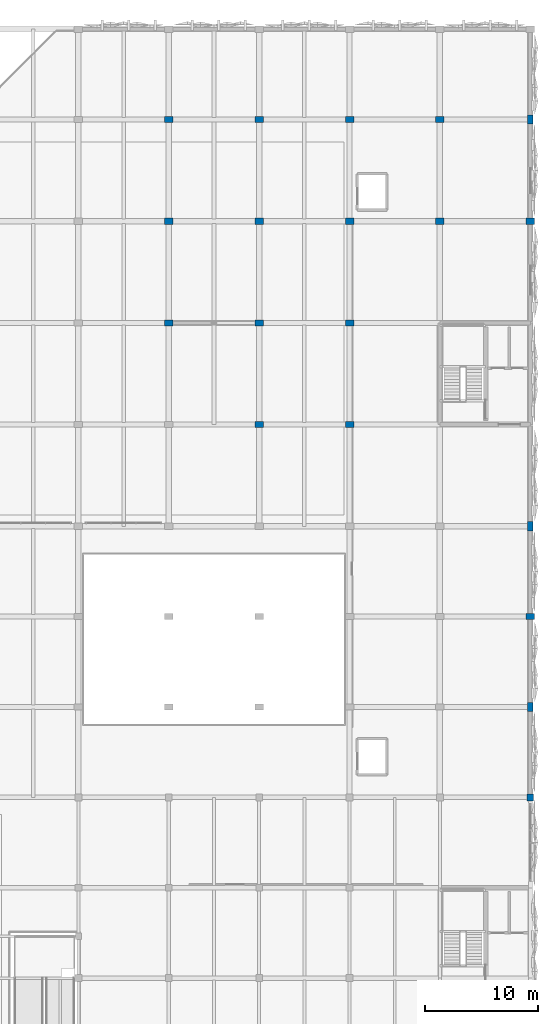
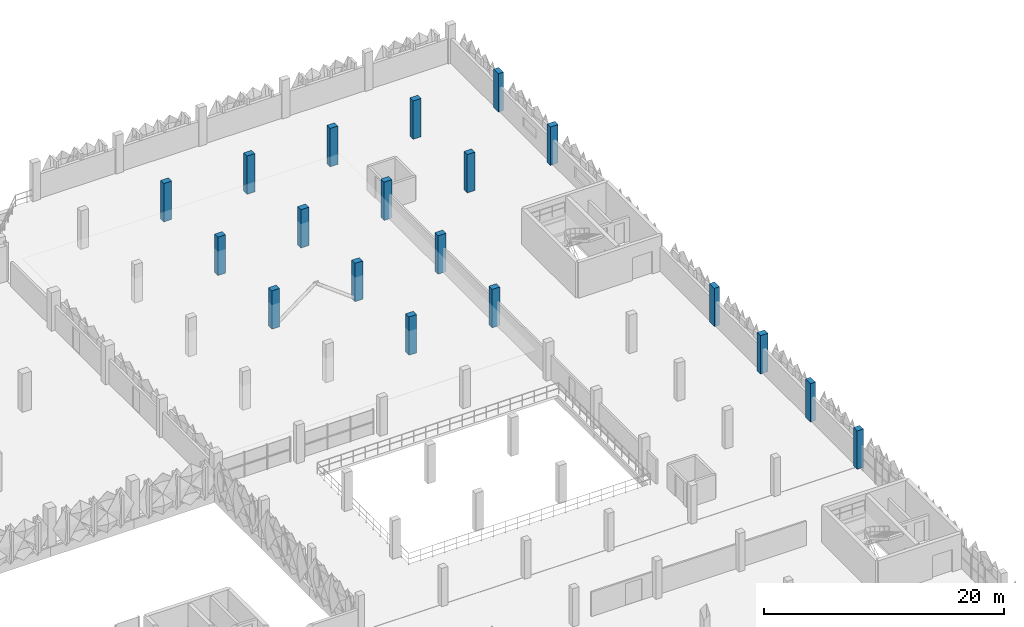
# One storey, part 16 of 123: 19 columns.
"""IFC4 building model written with IfcOpenShell, lengths in metres."""

from ifc_helpers import new_model, si_unit, derived_unit, direction, frame, origin, origin_2d, place, context, subcontext, project, spatial, rectangle, extrude, material, material_profile, profile_set, type_object, element, save


model = new_model("IFC4")

# Units and contexts
model_context = context("Model", 3, precision=1e-05, world=origin(), true_north=direction((0.0, 1.0)))
body_context = subcontext(model_context, "Body", "Model", "MODEL_VIEW")
ifc_project = project(units=[si_unit("LENGTHUNIT", "METRE"), si_unit("AREAUNIT", "SQUARE_METRE"), si_unit("VOLUMEUNIT", "CUBIC_METRE"), si_unit("PLANEANGLEUNIT", "RADIAN"), si_unit("MASSUNIT", "GRAM", prefix="KILO"), si_unit("THERMODYNAMICTEMPERATUREUNIT", "KELVIN"), derived_unit("THERMALTRANSMITTANCEUNIT", [(si_unit("POWERUNIT", "WATT"), 1), (si_unit("AREAUNIT", "SQUARE_METRE"), -1), (si_unit("THERMODYNAMICTEMPERATUREUNIT", "KELVIN"), -1)])], contexts=[model_context])

# Site, building, storey
site_placement = place(None, origin())
site = spatial("IfcSite", under=ifc_project, at=site_placement, CompositionType="ELEMENT")
building_placement = place(site_placement, origin())
building = spatial("IfcBuilding", under=site, at=building_placement, Name="Haiyu Intermodal Mobility Hub", CompositionType="ELEMENT")
storey_placement = place(building_placement, frame((0.0, 0.0, 5.60009765625)))
storey = spatial("IfcBuildingStorey", under=building, at=storey_placement, Name="L01", CompositionType="ELEMENT", Elevation=5.60009765625)

# Columns
ifc_material_1 = material(Name="Concrete C40", Category="concrete")
ifc_material_profile_1 = material_profile(ifc_material_1, rectangle(XDim=0.60009765625, YDim=0.60009765625, at=origin_2d()), Name="RC600x600")
ifc_profile_set_1 = profile_set([ifc_material_profile_1], Name="Concrete C40")
column_type_1 = type_object("IfcColumnType", Name="COL-CC10-EXT", PredefinedType="COLUMN", material=ifc_profile_set_1)
column_placement = place(storey_placement, frame((210.0, 80.0, 0.0), z_axis=(0.0, 0.0, 1.0), x_axis=(1.0, 0.0, 0.0)))
element("IfcColumn", 1, at=column_placement, inside=storey, type_object=column_type_1, Name="Column V5-24J L01", PredefinedType="COLUMN", context=body_context, shape_type="SweptSolid", body=[
    extrude(rectangle(XDim=0.60009765625, YDim=0.60009765625, at=origin_2d()), origin(), (0.0, 0.0, 1.0), 3.89990234375),
])
ifc_material_profile_2 = material_profile(ifc_material_1, rectangle(XDim=0.75, YDim=0.550048828125, at=origin_2d()), Name="C750x550")
ifc_profile_set_2 = profile_set([ifc_material_profile_2], Name="Concrete C40")
column_type_2 = type_object("IfcColumnType", Name="COL-CC15", PredefinedType="COLUMN", material=ifc_profile_set_2)
for number, where, z_axis, x_axis, name in (
    (2, (178.0, 122.0, 0.0), (0.0, 0.0, 1.0), (1.0, 0.0, 0.0), "Column V6-20P L01"),
    (3, (178.0, 131.0, 0.0), (0.0, 0.0, 1.0), (1.0, 0.0, 0.0), "Column V6-20Q L01"),
    (4, (178.0, 140.0, 0.0), (0.0, 0.0, 1.0), (1.0, 0.0, 0.0), "Column V6-20R L01"),
    (5, (186.0, 113.0, 0.0), (0.0, 0.0, 1.0), (1.0, 0.0, 0.0), "Column V6-21N L01"),
    (6, (186.0, 122.0, 0.0), (0.0, 0.0, 1.0), (1.0, 0.0, 0.0), "Column V6-21P L01"),
    (7, (186.0, 131.0, 0.0), (0.0, 0.0, 1.0), (1.0, 0.0, 0.0), "Column V6-21Q L01"),
    (8, (186.0, 140.0, 0.0), (0.0, 0.0, 1.0), (1.0, 0.0, 0.0), "Column V6-21R L01"),
    (9, (194.0, 113.0, 0.0), (0.0, 0.0, 1.0), (1.0, 0.0, 0.0), "Column V6-22N L01"),
    (10, (194.0, 122.0, 0.0), (0.0, 0.0, 1.0), (1.0, 0.0, 0.0), "Column V6-22P L01"),
    (11, (194.0, 131.0, 0.0), (0.0, 0.0, 1.0), (1.0, 0.0, 0.0), "Column V6-22Q L01"),
    (12, (194.0, 140.0, 0.0), (0.0, 0.0, 1.0), (1.0, 0.0, 0.0), "Column V6-22R L01"),
    (13, (202.0, 131.0, 0.0), (0.0, 0.0, 1.0), (1.0, 0.0, 0.0), "Column V6-23Q L01"),
    (14, (202.0, 140.0, 0.0), (0.0, 0.0, 1.0), (1.0, 0.0, 0.0), "Column V6-23R L01"),
):
    element("IfcColumn", number, at=place(storey_placement, frame(where, z_axis=z_axis, x_axis=x_axis)), inside=storey, type_object=column_type_2, Name=name, PredefinedType="COLUMN", context=body_context, shape_type="SweptSolid", body=[
        extrude(rectangle(XDim=0.75, YDim=0.550048828125, at=origin_2d()), origin(), (0.0, 0.0, 1.0), 3.89990234375),
    ])
ifc_material_profile_3 = material_profile(ifc_material_1, rectangle(XDim=0.75, YDim=0.550048828125, at=origin_2d()), Name="C750x550")
ifc_profile_set_3 = profile_set([ifc_material_profile_3], Name="Concrete C40")
column_type_3 = type_object("IfcColumnType", Name="COL-CC15-EXT", PredefinedType="COLUMN", material=ifc_profile_set_3)
for number, where, z_axis, x_axis, name in (
    (15, (210.0, 96.0, 0.0), (0.0, 0.0, 1.0), (1.0, 0.0, 0.0), "Column V6-24L L01"),
    (16, (210.0, 131.0, 0.0), (0.0, 0.0, 1.0), (1.0, 0.0, 0.0), "Column V6-24Q L01"),
):
    element("IfcColumn", number, at=place(storey_placement, frame(where, z_axis=z_axis, x_axis=x_axis)), inside=storey, type_object=column_type_3, Name=name, PredefinedType="COLUMN", context=body_context, shape_type="SweptSolid", body=[
        extrude(rectangle(XDim=0.75, YDim=0.550048828125, at=origin_2d()), origin(), (0.0, 0.0, 1.0), 3.89990234375),
    ])
ifc_material_2 = material(Name="Precast concrete C40", Category="concrete")
ifc_material_profile_4 = material_profile(ifc_material_2, rectangle(XDim=0.5, YDim=0.800048828125, at=origin_2d()), Name="RC500x800")
ifc_profile_set_4 = profile_set([ifc_material_profile_4], Name="Precast concrete C40")
column_type_4 = type_object("IfcColumnType", Name="COL-PL11-EXT", PredefinedType="PILASTER", material=ifc_profile_set_4)
for number, where, z_axis, x_axis, name in (
    (17, (210.0, 88.0, 0.0), (0.0, 0.0, 1.0), (1.0, 0.0, 0.0), "Column V6-24K L01"),
    (18, (210.0, 104.0, 0.0), (0.0, 0.0, 1.0), (1.0, 0.0, 0.0), "Column V6-24M L01"),
    (19, (210.0, 140.0, 0.0), (0.0, 0.0, 1.0), (1.0, 0.0, 0.0), "Column V6-24R L01"),
):
    element("IfcColumn", number, at=place(storey_placement, frame(where, z_axis=z_axis, x_axis=x_axis)), inside=storey, type_object=column_type_4, Name=name, PredefinedType="PILASTER", context=body_context, shape_type="SweptSolid", body=[
        extrude(rectangle(XDim=0.5, YDim=0.800048828125, at=origin_2d()), origin(), (0.0, 0.0, 1.0), 3.89990234375),
    ])

save(model, "model.ifc")
